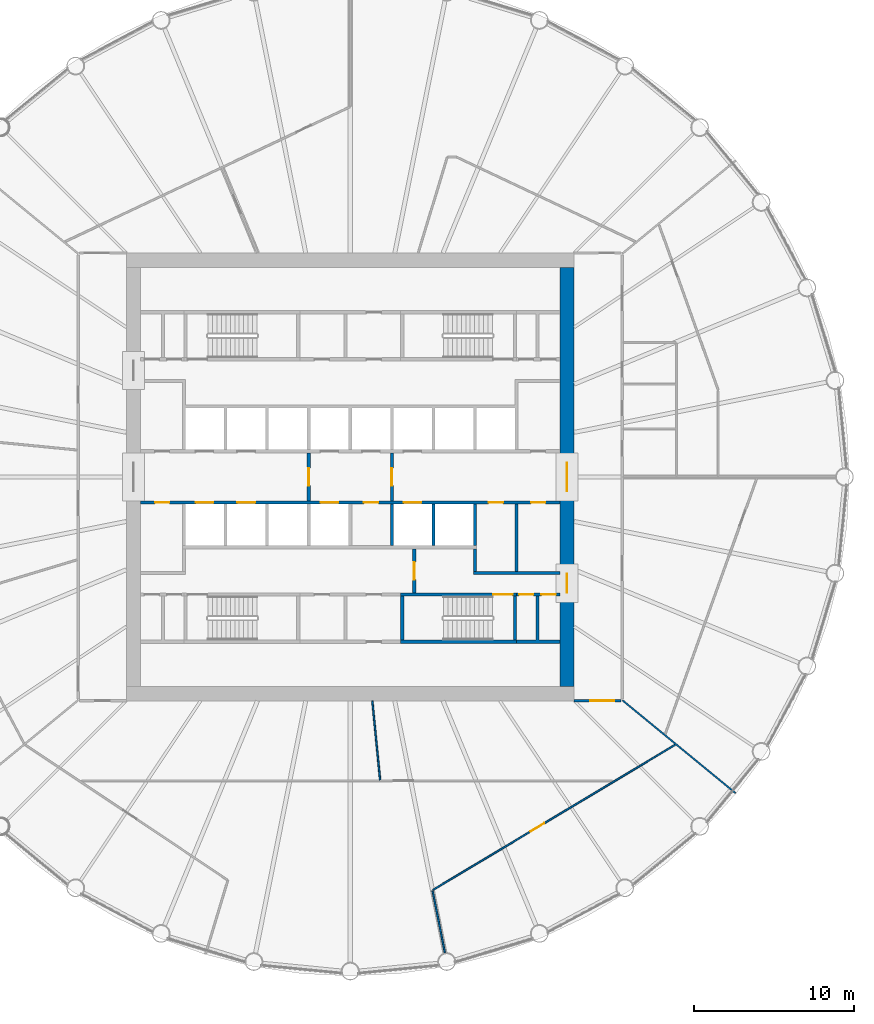
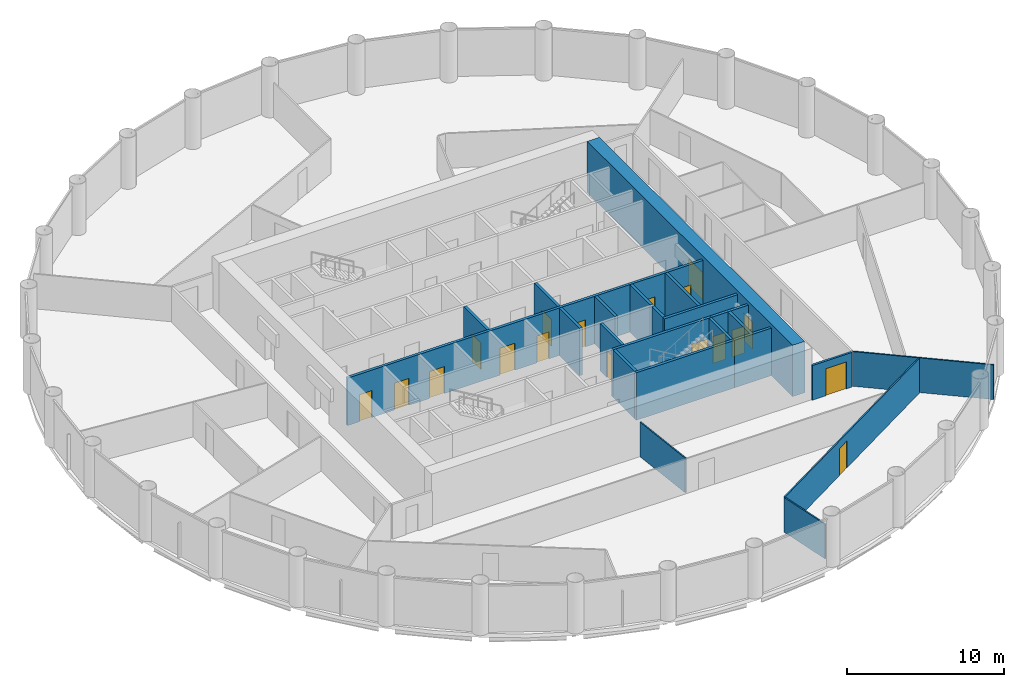
# One storey, part 5 of 8: 22 walls, 18 doors, 18 openings.
"""IFC4 building model written with IfcOpenShell, lengths in metres."""

from ifc_helpers import new_model, si_unit, direction, frame, frame_2d, origin, place, context, subcontext, project, spatial, polyline, rectangle, outline, extrude, material, layer, layer_set, type_object, element, fill, save


model = new_model("IFC4")

# Units and contexts
model_context = context("Model", 3, precision=1e-05, world=origin(), true_north=direction((0.0, 1.0)))
body_context = subcontext(model_context, "Body", "Model", "MODEL_VIEW")
ifc_project = project(units=[si_unit("LENGTHUNIT", "METRE"), si_unit("AREAUNIT", "SQUARE_METRE"), si_unit("VOLUMEUNIT", "CUBIC_METRE"), si_unit("PLANEANGLEUNIT", "RADIAN"), si_unit("MASSUNIT", "GRAM", prefix="KILO")], contexts=[model_context])

# Site, building, storey
site_placement = place(None, origin())
site = spatial("IfcSite", under=ifc_project, at=site_placement, CompositionType="ELEMENT")
building_placement = place(site_placement, origin())
building = spatial("IfcBuilding", under=site, at=building_placement, Name="Corvane Civic Tower", CompositionType="ELEMENT")
storey_placement = place(building_placement, frame((0.0, 0.0, 156.0)))
storey = spatial("IfcBuildingStorey", under=building, at=storey_placement, Name="L36", CompositionType="ELEMENT", Elevation=156.0)

# Wall, openings, doors
ifc_material_1 = material(Name="Concrete C60/75", Category="concrete")
ifc_layer_1 = layer(ifc_material_1, 0.89990234375)
ifc_layer_set_1 = layer_set([ifc_layer_1], Name="Concrete C60/75")
wall_type_1 = type_object("IfcWallType", Name="CORE WALL 900 C60/75", PredefinedType="SHEAR", material=ifc_layer_set_1)
wall_1_placement = place(storey_placement, frame((13.550048828125, -13.10009765625, 0.0), z_axis=(0.0, 0.0, 1.0), x_axis=(0.0, 1.0, 0.0)))
wall_1 = element("IfcWall", 1, at=wall_1_placement, inside=storey, type_object=wall_type_1, Name="W-L36-core-E", PredefinedType="SHEAR", context=body_context, shape_type="SweptSolid", body=[
    extrude(rectangle(XDim=26.2001953125, YDim=0.89990234375, at=frame_2d((13.10009765625, 0.0))), origin(), (0.0, 0.0, 1.0), 4.0),
])
opening_1_placement = place(wall_1_placement, frame((12.199951171875, 0.0, 0.0)))
opening_1 = element("IfcOpeningElement", 2, at=opening_1_placement, cuts=wall_1, Name="Opening L36.C29", PredefinedType="OPENING", context=body_context, shape_type="SweptSolid", body=[
    extrude(rectangle(XDim=1.800048828125, YDim=2.10009765625, at=frame_2d((0.89990234375, 1.050048828125))), frame((0.0, 0.4599609375, 0.0), z_axis=(0.0, -1.0, 0.0), x_axis=(1.0, 0.0, 0.0)), (0.0, 0.0, 1.0), 0.919921875),
])
opening_2_placement = place(wall_1_placement, frame((5.85009765625, 0.0, 0.0)))
opening_2 = element("IfcOpeningElement", 3, at=opening_2_placement, cuts=wall_1, Name="Opening L36.C31", PredefinedType="OPENING", context=body_context, shape_type="SweptSolid", body=[
    extrude(rectangle(XDim=1.199951171875, YDim=2.10009765625, at=frame_2d((0.60009765625, 1.050048828125))), frame((0.0, 0.4599609375, 0.0), z_axis=(0.0, -1.0, 0.0), x_axis=(1.0, 0.0, 0.0)), (0.0, 0.0, 1.0), 0.919921875),
])
ifc_material_2 = material(Name="Steel fire door leaf", Category="steel")
door_type_1 = type_object("IfcDoorType", Name="CR-DOOR-CORE-1800", OperationType="DOUBLE_DOOR_SINGLE_SWING", PredefinedType="DOOR", material=ifc_material_2)
door_1_placement = place(opening_1_placement, origin())
door_1 = element("IfcDoor", 4, at=door_1_placement, inside=storey, type_object=door_type_1, Name="L36 door", OperationType="DOUBLE_DOOR_SINGLE_SWING", OverallHeight=2.10009765625, OverallWidth=1.800048828125, PredefinedType="DOOR", context=body_context, shape_type="SweptSolid", body=[
    extrude(rectangle(XDim=1.800048828125, YDim=2.10009765625, at=frame_2d((0.89990234375, 1.050048828125))), frame((0.0, 0.02490234375, 0.0), z_axis=(0.0, -1.0, 0.0), x_axis=(1.0, 0.0, 0.0)), (0.0, 0.0, 1.0), 0.050048828125),
])
fill(opening_1, door_1)
door_2_placement = place(opening_2_placement, origin())
door_2 = element("IfcDoor", 5, at=door_2_placement, inside=storey, type_object=door_type_1, Name="L36 door", OperationType="DOUBLE_DOOR_SINGLE_SWING", OverallHeight=2.10009765625, OverallWidth=1.199951171875, PredefinedType="DOOR", context=body_context, shape_type="SweptSolid", body=[
    extrude(rectangle(XDim=1.199951171875, YDim=2.10009765625, at=frame_2d((0.60009765625, 1.050048828125))), frame((0.0, 0.02490234375, 0.0), z_axis=(0.0, -1.0, 0.0), x_axis=(1.0, 0.0, 0.0)), (0.0, 0.0, 1.0), 0.050048828125),
])
fill(opening_2, door_2)

ifc_material_3 = material(Name="Concrete C30/37", Category="concrete")
ifc_layer_2 = layer(ifc_material_3, 0.199951171875)
ifc_layer_set_2 = layer_set([ifc_layer_2], Name="Concrete C30/37")
wall_type_2 = type_object("IfcWallType", Name="CR-WALL-200", PredefinedType="PARTITIONING", material=ifc_layer_set_2)
wall_2_placement = place(storey_placement, frame((10.39990234375, -7.35009765625, 0.0), z_axis=(0.0, 0.0, 1.0), x_axis=(1.0, 0.0, 0.0)))
wall_2 = element("IfcWall", 6, at=wall_2_placement, inside=storey, type_object=wall_type_2, Name="L36 core partition wall", PredefinedType="PARTITIONING", context=body_context, shape_type="SweptSolid", body=[
    extrude(rectangle(XDim=2.7001953125, YDim=0.199951171875, at=frame_2d((1.35009765625, 0.0))), origin(), (0.0, 0.0, 1.0), 3.699951171875),
])
opening_3_placement = place(wall_2_placement, frame((0.14990234375, 0.0, 0.0)))
opening_3 = element("IfcOpeningElement", 7, at=opening_3_placement, cuts=wall_2, Name="Opening L36.C19", PredefinedType="OPENING", context=body_context, shape_type="SweptSolid", body=[
    extrude(rectangle(XDim=0.89990234375, YDim=2.10009765625, at=frame_2d((0.449951171875, 1.050048828125))), frame((0.0, 0.10986328125, 0.0), z_axis=(0.0, -1.0, 0.0), x_axis=(1.0, 0.0, 0.0)), (0.0, 0.0, 1.0), 0.219970703125),
])
opening_4_placement = place(wall_2_placement, frame((1.550048828125, 0.0, 0.0)))
opening_4 = element("IfcOpeningElement", 8, at=opening_4_placement, cuts=wall_2, Name="Opening L36.C20", PredefinedType="OPENING", context=body_context, shape_type="SweptSolid", body=[
    extrude(rectangle(XDim=0.89990234375, YDim=2.10009765625, at=frame_2d((0.449951171875, 1.050048828125))), frame((0.0, 0.10986328125, 0.0), z_axis=(0.0, -1.0, 0.0), x_axis=(1.0, 0.0, 0.0)), (0.0, 0.0, 1.0), 0.219970703125),
])
ifc_material_4 = material(Name="Steel fire door leaf", Category="steel")
door_type_2 = type_object("IfcDoorType", Name="CR-DOOR-900", OperationType="SINGLE_SWING_LEFT", PredefinedType="DOOR", material=ifc_material_4)
door_3_placement = place(opening_3_placement, origin())
door_3 = element("IfcDoor", 9, at=door_3_placement, inside=storey, type_object=door_type_2, Name="L36 door", OperationType="SINGLE_SWING_LEFT", OverallHeight=2.10009765625, OverallWidth=0.89990234375, PredefinedType="DOOR", context=body_context, shape_type="SweptSolid", body=[
    extrude(rectangle(XDim=0.89990234375, YDim=2.10009765625, at=frame_2d((0.449951171875, 1.050048828125))), frame((0.0, 0.02490234375, 0.0), z_axis=(0.0, -1.0, 0.0), x_axis=(1.0, 0.0, 0.0)), (0.0, 0.0, 1.0), 0.050048828125),
])
fill(opening_3, door_3)
door_4_placement = place(opening_4_placement, origin())
door_4 = element("IfcDoor", 10, at=door_4_placement, inside=storey, type_object=door_type_2, Name="L36 door", OperationType="SINGLE_SWING_LEFT", OverallHeight=2.10009765625, OverallWidth=0.89990234375, PredefinedType="DOOR", context=body_context, shape_type="SweptSolid", body=[
    extrude(rectangle(XDim=0.89990234375, YDim=2.10009765625, at=frame_2d((0.449951171875, 1.050048828125))), frame((0.0, 0.02490234375, 0.0), z_axis=(0.0, -1.0, 0.0), x_axis=(1.0, 0.0, 0.0)), (0.0, 0.0, 1.0), 0.050048828125),
])
fill(opening_4, door_4)

wall_3_placement = place(storey_placement, frame((-13.10009765625, -1.60009765625, 0.0), z_axis=(0.0, 0.0, 1.0), x_axis=(1.0, 0.0, 0.0)))
wall_3 = element("IfcWall", 11, at=wall_3_placement, inside=storey, type_object=wall_type_2, Name="L36 lift shaft wall", PredefinedType="PARTITIONING", context=body_context, shape_type="SweptSolid", body=[
    extrude(rectangle(XDim=26.2001953125, YDim=0.199951171875, at=frame_2d((13.10009765625, 0.0))), origin(), (0.0, 0.0, 1.0), 3.699951171875),
])
opening_5_placement = place(wall_3_placement, frame((3.449951171875, 0.0, 0.0)))
opening_5 = element("IfcOpeningElement", 12, at=opening_5_placement, cuts=wall_3, Name="Opening LD", PredefinedType="OPENING", context=body_context, shape_type="SweptSolid", body=[
    extrude(rectangle(XDim=1.10009765625, YDim=2.10009765625, at=frame_2d((0.550048828125, 1.050048828125))), frame((0.0, 0.10986328125, 0.0), z_axis=(0.0, -1.0, 0.0), x_axis=(1.0, 0.0, 0.0)), (0.0, 0.0, 1.0), 0.219970703125),
])
opening_6_placement = place(wall_3_placement, frame((6.050048828125, 0.0, 0.0)))
opening_6 = element("IfcOpeningElement", 13, at=opening_6_placement, cuts=wall_3, Name="Opening LD", PredefinedType="OPENING", context=body_context, shape_type="SweptSolid", body=[
    extrude(rectangle(XDim=1.10009765625, YDim=2.10009765625, at=frame_2d((0.550048828125, 1.050048828125))), frame((0.0, 0.10986328125, 0.0), z_axis=(0.0, -1.0, 0.0), x_axis=(1.0, 0.0, 0.0)), (0.0, 0.0, 1.0), 0.219970703125),
])
opening_7_placement = place(wall_3_placement, frame((11.25, 0.0, 0.0)))
opening_7 = element("IfcOpeningElement", 14, at=opening_7_placement, cuts=wall_3, Name="Opening LD", PredefinedType="OPENING", context=body_context, shape_type="SweptSolid", body=[
    extrude(rectangle(XDim=1.10009765625, YDim=2.10009765625, at=frame_2d((0.550048828125, 1.050048828125))), frame((0.0, 0.10986328125, 0.0), z_axis=(0.0, -1.0, 0.0), x_axis=(1.0, 0.0, 0.0)), (0.0, 0.0, 1.0), 0.219970703125),
])
opening_8_placement = place(wall_3_placement, frame((13.949951171875, 0.0, 0.0)))
opening_8 = element("IfcOpeningElement", 15, at=opening_8_placement, cuts=wall_3, Name="Opening L36.C03", PredefinedType="OPENING", context=body_context, shape_type="SweptSolid", body=[
    extrude(rectangle(XDim=0.89990234375, YDim=2.10009765625, at=frame_2d((0.449951171875, 1.050048828125))), frame((0.0, 0.10986328125, 0.0), z_axis=(0.0, -1.0, 0.0), x_axis=(1.0, 0.0, 0.0)), (0.0, 0.0, 1.0), 0.219970703125),
])
opening_9_placement = place(wall_3_placement, frame((16.449951171875, 0.0, 0.0)))
opening_9 = element("IfcOpeningElement", 16, at=opening_9_placement, cuts=wall_3, Name="Opening LD", PredefinedType="OPENING", context=body_context, shape_type="SweptSolid", body=[
    extrude(rectangle(XDim=1.10009765625, YDim=2.10009765625, at=frame_2d((0.550048828125, 1.050048828125))), frame((0.0, 0.10986328125, 0.0), z_axis=(0.0, -1.0, 0.0), x_axis=(1.0, 0.0, 0.0)), (0.0, 0.0, 1.0), 0.219970703125),
])
opening_10_placement = place(wall_3_placement, frame((0.89990234375, 0.0, 0.0)))
opening_10 = element("IfcOpeningElement", 17, at=opening_10_placement, cuts=wall_3, Name="Opening L36.C04", PredefinedType="OPENING", context=body_context, shape_type="SweptSolid", body=[
    extrude(rectangle(XDim=0.89990234375, YDim=2.10009765625, at=frame_2d((0.449951171875, 1.050048828125))), frame((0.0, 0.10986328125, 0.0), z_axis=(0.0, -1.0, 0.0), x_axis=(1.0, 0.0, 0.0)), (0.0, 0.0, 1.0), 0.219970703125),
])
opening_11_placement = place(wall_3_placement, frame((21.75, 0.0, 0.0)))
opening_11 = element("IfcOpeningElement", 18, at=opening_11_placement, cuts=wall_3, Name="Opening L36.C05", PredefinedType="OPENING", context=body_context, shape_type="SweptSolid", body=[
    extrude(rectangle(XDim=0.89990234375, YDim=2.10009765625, at=frame_2d((0.449951171875, 1.050048828125))), frame((0.0, 0.10986328125, 0.0), z_axis=(0.0, -1.0, 0.0), x_axis=(1.0, 0.0, 0.0)), (0.0, 0.0, 1.0), 0.219970703125),
])
opening_12_placement = place(wall_3_placement, frame((24.39990234375, 0.0, 0.0)))
opening_12 = element("IfcOpeningElement", 19, at=opening_12_placement, cuts=wall_3, Name="Opening L36.C06", PredefinedType="OPENING", context=body_context, shape_type="SweptSolid", body=[
    extrude(rectangle(XDim=0.89990234375, YDim=2.10009765625, at=frame_2d((0.449951171875, 1.050048828125))), frame((0.0, 0.10986328125, 0.0), z_axis=(0.0, -1.0, 0.0), x_axis=(1.0, 0.0, 0.0)), (0.0, 0.0, 1.0), 0.219970703125),
])
door_5_placement = place(opening_8_placement, origin())
door_5 = element("IfcDoor", 20, at=door_5_placement, inside=storey, type_object=door_type_2, Name="L36 door", OperationType="SINGLE_SWING_LEFT", OverallHeight=2.10009765625, OverallWidth=0.89990234375, PredefinedType="DOOR", context=body_context, shape_type="SweptSolid", body=[
    extrude(rectangle(XDim=0.89990234375, YDim=2.10009765625, at=frame_2d((0.449951171875, 1.050048828125))), frame((0.0, 0.02490234375, 0.0), z_axis=(0.0, -1.0, 0.0), x_axis=(1.0, 0.0, 0.0)), (0.0, 0.0, 1.0), 0.050048828125),
])
fill(opening_8, door_5)
door_6_placement = place(opening_10_placement, origin())
door_6 = element("IfcDoor", 21, at=door_6_placement, inside=storey, type_object=door_type_2, Name="L36 door", OperationType="SINGLE_SWING_LEFT", OverallHeight=2.10009765625, OverallWidth=0.89990234375, PredefinedType="DOOR", context=body_context, shape_type="SweptSolid", body=[
    extrude(rectangle(XDim=0.89990234375, YDim=2.10009765625, at=frame_2d((0.449951171875, 1.050048828125))), frame((0.0, 0.02490234375, 0.0), z_axis=(0.0, -1.0, 0.0), x_axis=(1.0, 0.0, 0.0)), (0.0, 0.0, 1.0), 0.050048828125),
])
fill(opening_10, door_6)
door_7_placement = place(opening_11_placement, origin())
door_7 = element("IfcDoor", 22, at=door_7_placement, inside=storey, type_object=door_type_2, Name="L36 door", OperationType="SINGLE_SWING_LEFT", OverallHeight=2.10009765625, OverallWidth=0.89990234375, PredefinedType="DOOR", context=body_context, shape_type="SweptSolid", body=[
    extrude(rectangle(XDim=0.89990234375, YDim=2.10009765625, at=frame_2d((0.449951171875, 1.050048828125))), frame((0.0, 0.02490234375, 0.0), z_axis=(0.0, -1.0, 0.0), x_axis=(1.0, 0.0, 0.0)), (0.0, 0.0, 1.0), 0.050048828125),
])
fill(opening_11, door_7)
door_8_placement = place(opening_12_placement, origin())
door_8 = element("IfcDoor", 23, at=door_8_placement, inside=storey, type_object=door_type_2, Name="L36 door", OperationType="SINGLE_SWING_LEFT", OverallHeight=2.10009765625, OverallWidth=0.89990234375, PredefinedType="DOOR", context=body_context, shape_type="SweptSolid", body=[
    extrude(rectangle(XDim=0.89990234375, YDim=2.10009765625, at=frame_2d((0.449951171875, 1.050048828125))), frame((0.0, 0.02490234375, 0.0), z_axis=(0.0, -1.0, 0.0), x_axis=(1.0, 0.0, 0.0)), (0.0, 0.0, 1.0), 0.050048828125),
])
fill(opening_12, door_8)
ifc_material_5 = material(Name="Stainless steel 316 door leaves", Category="steel")
door_type_3 = type_object("IfcDoorType", Name="LD", OperationType="DOUBLE_DOOR_SLIDING", PredefinedType="DOOR", material=ifc_material_5)
door_9_placement = place(opening_5_placement, origin())
door_9 = element("IfcDoor", 24, at=door_9_placement, inside=storey, type_object=door_type_3, Name="L36 landing door", OperationType="DOUBLE_DOOR_SLIDING", OverallHeight=2.10009765625, OverallWidth=1.10009765625, PredefinedType="DOOR", context=body_context, shape_type="SweptSolid", body=[
    extrude(rectangle(XDim=1.10009765625, YDim=2.10009765625, at=frame_2d((0.550048828125, 1.050048828125))), frame((0.0, 0.02490234375, 0.0), z_axis=(0.0, -1.0, 0.0), x_axis=(1.0, 0.0, 0.0)), (0.0, 0.0, 1.0), 0.050048828125),
])
fill(opening_5, door_9)
door_10_placement = place(opening_6_placement, origin())
door_10 = element("IfcDoor", 25, at=door_10_placement, inside=storey, type_object=door_type_3, Name="L36 landing door", OperationType="DOUBLE_DOOR_SLIDING", OverallHeight=2.10009765625, OverallWidth=1.10009765625, PredefinedType="DOOR", context=body_context, shape_type="SweptSolid", body=[
    extrude(rectangle(XDim=1.10009765625, YDim=2.10009765625, at=frame_2d((0.550048828125, 1.050048828125))), frame((0.0, 0.02490234375, 0.0), z_axis=(0.0, -1.0, 0.0), x_axis=(1.0, 0.0, 0.0)), (0.0, 0.0, 1.0), 0.050048828125),
])
fill(opening_6, door_10)
door_11_placement = place(opening_7_placement, origin())
door_11 = element("IfcDoor", 26, at=door_11_placement, inside=storey, type_object=door_type_3, Name="L36 landing door", OperationType="DOUBLE_DOOR_SLIDING", OverallHeight=2.10009765625, OverallWidth=1.10009765625, PredefinedType="DOOR", context=body_context, shape_type="SweptSolid", body=[
    extrude(rectangle(XDim=1.10009765625, YDim=2.10009765625, at=frame_2d((0.550048828125, 1.050048828125))), frame((0.0, 0.02490234375, 0.0), z_axis=(0.0, -1.0, 0.0), x_axis=(1.0, 0.0, 0.0)), (0.0, 0.0, 1.0), 0.050048828125),
])
fill(opening_7, door_11)
door_12_placement = place(opening_9_placement, origin())
door_12 = element("IfcDoor", 27, at=door_12_placement, inside=storey, type_object=door_type_3, Name="L36 landing door", OperationType="DOUBLE_DOOR_SLIDING", OverallHeight=2.10009765625, OverallWidth=1.10009765625, PredefinedType="DOOR", context=body_context, shape_type="SweptSolid", body=[
    extrude(rectangle(XDim=1.10009765625, YDim=2.10009765625, at=frame_2d((0.550048828125, 1.050048828125))), frame((0.0, 0.02490234375, 0.0), z_axis=(0.0, -1.0, 0.0), x_axis=(1.0, 0.0, 0.0)), (0.0, 0.0, 1.0), 0.050048828125),
])
fill(opening_9, door_12)

# Wall, opening, door
wall_4_placement = place(storey_placement, frame((-2.60009765625, -1.5, 0.0), z_axis=(0.0, 0.0, 1.0), x_axis=(0.0, 1.0, 0.0)))
wall_4 = element("IfcWall", 28, at=wall_4_placement, inside=storey, type_object=wall_type_2, Name="L36 firefighting lobby wall", PredefinedType="PARTITIONING", context=body_context, shape_type="SweptSolid", body=[
    extrude(rectangle(XDim=3.0, YDim=0.199951171875, at=frame_2d((1.5, 0.0))), origin(), (0.0, 0.0, 1.0), 3.699951171875),
])
opening_13_placement = place(wall_4_placement, frame((0.949951171875, 0.0, 0.0)))
opening_13 = element("IfcOpeningElement", 29, at=opening_13_placement, cuts=wall_4, Name="Opening L36.C25", PredefinedType="OPENING", context=body_context, shape_type="SweptSolid", body=[
    extrude(rectangle(XDim=1.10009765625, YDim=2.10009765625, at=frame_2d((0.550048828125, 1.050048828125))), frame((0.0, 0.10986328125, 0.0), z_axis=(0.0, -1.0, 0.0), x_axis=(1.0, 0.0, 0.0)), (0.0, 0.0, 1.0), 0.219970703125),
])
ifc_material_6 = material(Name="Steel fire door leaf", Category="steel")
door_type_4 = type_object("IfcDoorType", Name="CR-DOOR-FFL-1100", OperationType="SINGLE_SWING_LEFT", PredefinedType="DOOR", material=ifc_material_6)
door_13_placement = place(opening_13_placement, origin())
door_13 = element("IfcDoor", 30, at=door_13_placement, inside=storey, type_object=door_type_4, Name="L36 lobby door", OperationType="SINGLE_SWING_LEFT", OverallHeight=2.10009765625, OverallWidth=1.10009765625, PredefinedType="DOOR", context=body_context, shape_type="SweptSolid", body=[
    extrude(rectangle(XDim=1.10009765625, YDim=2.10009765625, at=frame_2d((0.550048828125, 1.050048828125))), frame((0.0, 0.02490234375, 0.0), z_axis=(0.0, -1.0, 0.0), x_axis=(1.0, 0.0, 0.0)), (0.0, 0.0, 1.0), 0.050048828125),
])
fill(opening_13, door_13)

wall_5_placement = place(storey_placement, frame((2.60009765625, -1.5, 0.0), z_axis=(0.0, 0.0, 1.0), x_axis=(0.0, 1.0, 0.0)))
wall_5 = element("IfcWall", 31, at=wall_5_placement, inside=storey, type_object=wall_type_2, Name="L36 firefighting lobby wall", PredefinedType="PARTITIONING", context=body_context, shape_type="SweptSolid", body=[
    extrude(rectangle(XDim=3.0, YDim=0.199951171875, at=frame_2d((1.5, 0.0))), origin(), (0.0, 0.0, 1.0), 3.699951171875),
])
opening_14_placement = place(wall_5_placement, frame((0.949951171875, 0.0, 0.0)))
opening_14 = element("IfcOpeningElement", 32, at=opening_14_placement, cuts=wall_5, Name="Opening L36.C26", PredefinedType="OPENING", context=body_context, shape_type="SweptSolid", body=[
    extrude(rectangle(XDim=1.10009765625, YDim=2.10009765625, at=frame_2d((0.550048828125, 1.050048828125))), frame((0.0, 0.10986328125, 0.0), z_axis=(0.0, -1.0, 0.0), x_axis=(1.0, 0.0, 0.0)), (0.0, 0.0, 1.0), 0.219970703125),
])
door_14_placement = place(opening_14_placement, origin())
door_14 = element("IfcDoor", 33, at=door_14_placement, inside=storey, type_object=door_type_4, Name="L36 lobby door", OperationType="SINGLE_SWING_LEFT", OverallHeight=2.10009765625, OverallWidth=1.10009765625, PredefinedType="DOOR", context=body_context, shape_type="SweptSolid", body=[
    extrude(rectangle(XDim=1.10009765625, YDim=2.10009765625, at=frame_2d((0.550048828125, 1.050048828125))), frame((0.0, 0.02490234375, 0.0), z_axis=(0.0, -1.0, 0.0), x_axis=(1.0, 0.0, 0.0)), (0.0, 0.0, 1.0), 0.050048828125),
])
fill(opening_14, door_14)

wall_6_placement = place(storey_placement, frame((4.0, -7.25, 0.0), z_axis=(0.0, 0.0, 1.0), x_axis=(0.0, 1.0, 0.0)))
wall_6 = element("IfcWall", 34, at=wall_6_placement, inside=storey, type_object=wall_type_2, Name="L36 core partition wall", PredefinedType="PARTITIONING", context=body_context, shape_type="SweptSolid", body=[
    extrude(rectangle(XDim=2.75, YDim=0.199951171875, at=frame_2d((1.375, 0.0))), origin(), (0.0, 0.0, 1.0), 3.699951171875),
])
opening_15_placement = place(wall_6_placement, frame((0.824951171875, 0.0, 0.0)))
opening_15 = element("IfcOpeningElement", 35, at=opening_15_placement, cuts=wall_6, Name="Opening L36.C27", PredefinedType="OPENING", context=body_context, shape_type="SweptSolid", body=[
    extrude(rectangle(XDim=1.10009765625, YDim=2.10009765625, at=frame_2d((0.550048828125, 1.050048828125))), frame((0.0, 0.10986328125, 0.0), z_axis=(0.0, -1.0, 0.0), x_axis=(1.0, 0.0, 0.0)), (0.0, 0.0, 1.0), 0.219970703125),
])
door_15_placement = place(opening_15_placement, origin())
door_15 = element("IfcDoor", 36, at=door_15_placement, inside=storey, type_object=door_type_4, Name="L36 lobby door", OperationType="SINGLE_SWING_LEFT", OverallHeight=2.10009765625, OverallWidth=1.10009765625, PredefinedType="DOOR", context=body_context, shape_type="SweptSolid", body=[
    extrude(rectangle(XDim=1.10009765625, YDim=2.10009765625, at=frame_2d((0.550048828125, 1.050048828125))), frame((0.0, 0.02490234375, 0.0), z_axis=(0.0, -1.0, 0.0), x_axis=(1.0, 0.0, 0.0)), (0.0, 0.0, 1.0), 0.050048828125),
])
fill(opening_15, door_15)

# Walls
wall_7_placement = place(storey_placement, origin())
element("IfcWall", 37, at=wall_7_placement, inside=storey, type_object=wall_type_2, Name="L36 core partition wall", PredefinedType="PARTITIONING", context=body_context, shape_type="SweptSolid", body=[
    extrude(outline(polyline([(13.10009765625, -6.10009765625), (7.699951171875, -6.10009765625), (7.699951171875, -5.89990234375), (13.10009765625, -5.89990234375), (13.10009765625, -6.10009765625)])), origin(), (0.0, 0.0, 1.0), 3.699951171875),
])
wall_8_placement = place(storey_placement, origin())
element("IfcWall", 38, at=wall_8_placement, inside=storey, type_object=wall_type_2, Name="L36 core partition wall", PredefinedType="PARTITIONING", context=body_context, shape_type="SweptSolid", body=[
    extrude(outline(polyline([(10.5, -1.699951171875), (10.5, -5.89990234375), (10.300048828125, -5.89990234375), (10.300048828125, -1.699951171875), (10.5, -1.699951171875)])), origin(), (0.0, 0.0, 1.0), 3.699951171875),
])
wall_9_placement = place(storey_placement, origin())
element("IfcWall", 39, at=wall_9_placement, inside=storey, type_object=wall_type_2, Name="L36 core partition wall", PredefinedType="PARTITIONING", context=body_context, shape_type="SweptSolid", body=[
    extrude(outline(polyline([(2.699951171875, -1.699951171875), (2.699951171875, -4.2998046875), (2.5, -4.2998046875), (2.5, -1.699951171875), (2.699951171875, -1.699951171875)])), origin(), (0.0, 0.0, 1.0), 3.699951171875),
])
wall_10_placement = place(storey_placement, origin())
element("IfcWall", 40, at=wall_10_placement, inside=storey, type_object=wall_type_2, Name="L36 core partition wall", PredefinedType="PARTITIONING", context=body_context, shape_type="SweptSolid", body=[
    extrude(outline(polyline([(5.300048828125, -1.699951171875), (5.300048828125, -4.2998046875), (5.10009765625, -4.2998046875), (5.10009765625, -1.699951171875), (5.300048828125, -1.699951171875)])), origin(), (0.0, 0.0, 1.0), 3.699951171875),
])
wall_11_placement = place(storey_placement, origin())
element("IfcWall", 41, at=wall_11_placement, inside=storey, type_object=wall_type_2, Name="L36 core partition wall", PredefinedType="PARTITIONING", context=body_context, shape_type="SweptSolid", body=[
    extrude(outline(polyline([(7.89990234375, -1.699951171875), (7.89990234375, -4.2998046875), (7.699951171875, -4.2998046875), (7.699951171875, -1.699951171875), (7.89990234375, -1.699951171875)])), origin(), (0.0, 0.0, 1.0), 3.699951171875),
])
wall_12_placement = place(storey_placement, origin())
element("IfcWall", 42, at=wall_12_placement, inside=storey, type_object=wall_type_2, Name="L36 core partition wall", PredefinedType="PARTITIONING", context=body_context, shape_type="SweptSolid", body=[
    extrude(outline(polyline([(7.89990234375, -5.89990234375), (7.699951171875, -5.89990234375), (7.699951171875, -4.5), (7.89990234375, -4.5), (7.89990234375, -5.89990234375)])), origin(), (0.0, 0.0, 1.0), 3.699951171875),
])
wall_13_placement = place(storey_placement, origin())
element("IfcWall", 43, at=wall_13_placement, inside=storey, type_object=wall_type_2, Name="L36 core partition wall", PredefinedType="PARTITIONING", context=body_context, shape_type="SweptSolid", body=[
    extrude(outline(polyline([(11.800048828125, -7.449951171875), (11.800048828125, -10.199951171875), (13.10009765625, -10.199951171875), (13.10009765625, -10.39990234375), (10.39990234375, -10.39990234375), (10.39990234375, -10.199951171875), (11.60009765625, -10.199951171875), (11.60009765625, -7.449951171875), (11.800048828125, -7.449951171875)])), origin(), (0.0, 0.0, 1.0), 3.699951171875),
])
ifc_material_7 = material(Name="Plasterboard")
ifc_layer_3 = layer(ifc_material_7, 0.10009765625)
ifc_layer_set_3 = layer_set([ifc_layer_3], Name="Plasterboard")
wall_type_3 = type_object("IfcWallType", Name="Partition 100 plasterboard on studs", PredefinedType="PARTITIONING", material=ifc_layer_set_3)
wall_14_placement = place(storey_placement, frame((5.146484375, -25.872802734375, 0.0), z_axis=(0.0, 0.0, 1.0), x_axis=(0.195120160049, -0.980779344778, 0.0)))
element("IfcWall", 44, at=wall_14_placement, inside=storey, type_object=wall_type_3, Name="Partition L36.002", PredefinedType="PARTITIONING", context=body_context, shape_type="SweptSolid", body=[
    extrude(rectangle(XDim=3.960205078125, YDim=0.10009765625, at=frame_2d((1.97998046875, 0.0))), origin(), (0.0, 0.0, 1.0), 2.699951171875),
])

# Wall, opening, door
wall_15_placement = place(storey_placement, frame((5.169677734375, -25.820068359375, 0.0), z_axis=(0.0, 0.0, 1.0), x_axis=(0.857733349265, 0.514094837126, 0.0)))
wall_15 = element("IfcWall", 45, at=wall_15_placement, inside=storey, type_object=wall_type_3, Name="Partition L36.003", PredefinedType="PARTITIONING", context=body_context, shape_type="SweptSolid", body=[
    extrude(rectangle(XDim=17.644287109375, YDim=0.10009765625, at=frame_2d((8.822265625, 0.0))), origin(), (0.0, 0.0, 1.0), 2.699951171875),
])
opening_16_placement = place(wall_15_placement, frame((7.110107421875, 0.0, 0.0)))
opening_16 = element("IfcOpeningElement", 46, at=opening_16_placement, cuts=wall_15, Name="Opening L36.005", PredefinedType="OPENING", context=body_context, shape_type="SweptSolid", body=[
    extrude(rectangle(XDim=1.0, YDim=2.10009765625, at=frame_2d((0.5, 1.050048828125))), frame((0.0, 0.06005859375, 0.0), z_axis=(0.0, -1.0, 0.0), x_axis=(1.0, 0.0, 0.0)), (0.0, 0.0, 1.0), 0.1201171875),
])
ifc_material_8 = material(Name="Timber", Category="wood")
door_type_5 = type_object("IfcDoorType", Name="Single door 1000", OperationType="NOTDEFINED", PredefinedType="DOOR", material=ifc_material_8)
door_16_placement = place(opening_16_placement, frame((1.0, 0.0, 0.0), z_axis=(0.0, 0.0, 1.0), x_axis=(-1.0, 0.0, 0.0)))
door_16 = element("IfcDoor", 47, at=door_16_placement, inside=storey, type_object=door_type_5, Name="Door L36.005", OperationType="SINGLE_SWING_RIGHT", OverallHeight=2.10009765625, OverallWidth=1.0, PredefinedType="DOOR", context=body_context, shape_type="SweptSolid", body=[
    extrude(rectangle(XDim=1.0, YDim=2.10009765625, at=frame_2d((0.5, 1.050048828125))), frame((0.0, 0.02490234375, 0.0), z_axis=(0.0, -1.0, 0.0), x_axis=(1.0, 0.0, 0.0)), (0.0, 0.0, 1.0), 0.050048828125),
])
fill(opening_16, door_16)

# Walls
wall_16_placement = place(storey_placement, frame((17.018310546875, -13.966552734375, 0.0), z_axis=(0.0, 0.0, 1.0), x_axis=(0.773006154143, -0.634398522742, 0.0)))
element("IfcWall", 48, at=wall_16_placement, inside=storey, type_object=wall_type_3, Name="Partition L36.006", PredefinedType="PARTITIONING", context=body_context, shape_type="SweptSolid", body=[
    extrude(rectangle(XDim=9.134521484375, YDim=0.10009765625, at=frame_2d((4.5673828125, 0.0))), origin(), (0.0, 0.0, 1.0), 2.699951171875),
])
wall_17_placement = place(storey_placement, frame((1.37890625, -14.0, 0.0), z_axis=(0.0, 0.0, 1.0), x_axis=(0.098019895744, -0.995184455284, 0.0)))
element("IfcWall", 49, at=wall_17_placement, inside=storey, type_object=wall_type_3, Name="Partition L36.008", PredefinedType="PARTITIONING", context=body_context, shape_type="SweptSolid", body=[
    extrude(rectangle(XDim=4.968994140625, YDim=0.10009765625, at=frame_2d((2.484375, 0.0))), origin(), (0.0, 0.0, 1.0), 2.699951171875),
])

# Wall, opening, door
ifc_material_9 = material(Name="Concrete C50/60", Category="concrete")
ifc_layer_4 = layer(ifc_material_9, 0.199951171875)
ifc_layer_set_4 = layer_set([ifc_layer_4], Name="Concrete C50/60")
wall_type_4 = type_object("IfcWallType", Name="ST-WALL-200", PredefinedType="SHEAR", material=ifc_layer_set_4)
wall_18_placement = place(storey_placement, frame((3.14990234375, -7.35009765625, 0.0), z_axis=(0.0, 0.0, 1.0), x_axis=(1.0, 0.0, 0.0)))
wall_18 = element("IfcWall", 50, at=wall_18_placement, inside=storey, type_object=wall_type_4, Name="L36 stair enclosure wall", PredefinedType="SHEAR", context=body_context, shape_type="SweptSolid", body=[
    extrude(rectangle(XDim=7.25, YDim=0.199951171875, at=frame_2d((3.625, 0.0))), origin(), (0.0, 0.0, 1.0), 3.699951171875),
])
opening_17_placement = place(wall_18_placement, frame((5.800048828125, 0.0, 0.0)))
opening_17 = element("IfcOpeningElement", 51, at=opening_17_placement, cuts=wall_18, Name="Opening L36.C23", PredefinedType="OPENING", context=body_context, shape_type="SweptSolid", body=[
    extrude(rectangle(XDim=1.199951171875, YDim=2.10009765625, at=frame_2d((0.60009765625, 1.050048828125))), frame((0.0, 0.10986328125, 0.0), z_axis=(0.0, -1.0, 0.0), x_axis=(1.0, 0.0, 0.0)), (0.0, 0.0, 1.0), 0.219970703125),
])
ifc_material_10 = material(Name="Steel fire door leaf", Category="steel")
door_type_6 = type_object("IfcDoorType", Name="ST-DOOR-1200", OperationType="SINGLE_SWING_RIGHT", PredefinedType="DOOR", material=ifc_material_10)
door_17_placement = place(opening_17_placement, origin())
door_17 = element("IfcDoor", 52, at=door_17_placement, inside=storey, type_object=door_type_6, Name="L36 stair door", OperationType="SINGLE_SWING_RIGHT", OverallHeight=2.10009765625, OverallWidth=1.199951171875, PredefinedType="DOOR", context=body_context, shape_type="SweptSolid", body=[
    extrude(rectangle(XDim=1.199951171875, YDim=2.10009765625, at=frame_2d((0.60009765625, 1.050048828125))), frame((0.0, 0.02490234375, 0.0), z_axis=(0.0, -1.0, 0.0), x_axis=(1.0, 0.0, 0.0)), (0.0, 0.0, 1.0), 0.050048828125),
])
fill(opening_17, door_17)

# Walls
wall_19_placement = place(storey_placement, origin())
element("IfcWall", 53, at=wall_19_placement, inside=storey, type_object=wall_type_4, Name="L36 stair enclosure wall", PredefinedType="SHEAR", context=body_context, shape_type="SweptSolid", body=[
    extrude(outline(polyline([(10.39990234375, -10.39990234375), (3.14990234375, -10.39990234375), (3.14990234375, -10.199951171875), (10.39990234375, -10.199951171875), (10.39990234375, -10.39990234375)])), origin(), (0.0, 0.0, 1.0), 3.699951171875),
])
wall_20_placement = place(storey_placement, origin())
element("IfcWall", 54, at=wall_20_placement, inside=storey, type_object=wall_type_4, Name="L36 stair enclosure wall", PredefinedType="SHEAR", context=body_context, shape_type="SweptSolid", body=[
    extrude(outline(polyline([(3.35009765625, -7.449951171875), (3.35009765625, -10.199951171875), (3.14990234375, -10.199951171875), (3.14990234375, -7.449951171875), (3.35009765625, -7.449951171875)])), origin(), (0.0, 0.0, 1.0), 3.699951171875),
])
wall_21_placement = place(storey_placement, origin())
element("IfcWall", 55, at=wall_21_placement, inside=storey, type_object=wall_type_4, Name="L36 stair enclosure wall", PredefinedType="SHEAR", context=body_context, shape_type="SweptSolid", body=[
    extrude(outline(polyline([(10.39990234375, -7.449951171875), (10.39990234375, -10.199951171875), (10.199951171875, -10.199951171875), (10.199951171875, -7.449951171875), (10.39990234375, -7.449951171875)])), origin(), (0.0, 0.0, 1.0), 3.699951171875),
])

# Wall, opening, door
ifc_material_11 = material(Name="Plasterboard")
ifc_layer_5 = layer(ifc_material_11, 0.14990234375)
ifc_layer_set_5 = layer_set([ifc_layer_5], Name="Plasterboard")
wall_type_5 = type_object("IfcWallType", Name="Tenancy wall 150 EI 60", PredefinedType="PARTITIONING", material=ifc_layer_set_5)
wall_22_placement = place(storey_placement, frame((13.989990234375, -14.0, 0.0), z_axis=(0.0, 0.0, 1.0), x_axis=(1.0, 0.0, 0.0)))
wall_22 = element("IfcWall", 56, at=wall_22_placement, inside=storey, type_object=wall_type_5, Name="Partition L36.012", PredefinedType="PARTITIONING", context=body_context, shape_type="SweptSolid", body=[
    extrude(rectangle(XDim=2.93505859375, YDim=0.14990234375, at=frame_2d((1.467529296875, 0.0))), origin(), (0.0, 0.0, 1.0), 2.699951171875),
])
opening_18_placement = place(wall_22_placement, frame((1.0048828125, 0.0, 0.0)))
opening_18 = element("IfcOpeningElement", 57, at=opening_18_placement, cuts=wall_22, Name="Opening L36.008", PredefinedType="OPENING", context=body_context, shape_type="SweptSolid", body=[
    extrude(rectangle(XDim=1.5, YDim=2.10009765625, at=frame_2d((0.75, 1.050048828125))), frame((0.0, 0.0849609375, 0.0), z_axis=(0.0, -1.0, 0.0), x_axis=(1.0, 0.0, 0.0)), (0.0, 0.0, 1.0), 0.169921875),
])
ifc_material_12 = material(Name="Steel and timber", Category="steel")
door_type_7 = type_object("IfcDoorType", Name="Fire door FD60 double 1500", OperationType="NOTDEFINED", PredefinedType="DOOR", material=ifc_material_12)
door_18_placement = place(opening_18_placement, frame((1.5, 0.0, 0.0), z_axis=(0.0, 0.0, 1.0), x_axis=(-1.0, 0.0, 0.0)))
door_18 = element("IfcDoor", 58, at=door_18_placement, inside=storey, type_object=door_type_7, Name="Door L36.008", OperationType="DOUBLE_DOOR_SINGLE_SWING", OverallHeight=2.10009765625, OverallWidth=1.5, PredefinedType="DOOR", context=body_context, shape_type="SweptSolid", body=[
    extrude(rectangle(XDim=1.5, YDim=2.10009765625, at=frame_2d((0.75, 1.050048828125))), frame((0.0, 0.02490234375, 0.0), z_axis=(0.0, -1.0, 0.0), x_axis=(1.0, 0.0, 0.0)), (0.0, 0.0, 1.0), 0.050048828125),
])
fill(opening_18, door_18)

save(model, "model.ifc")
